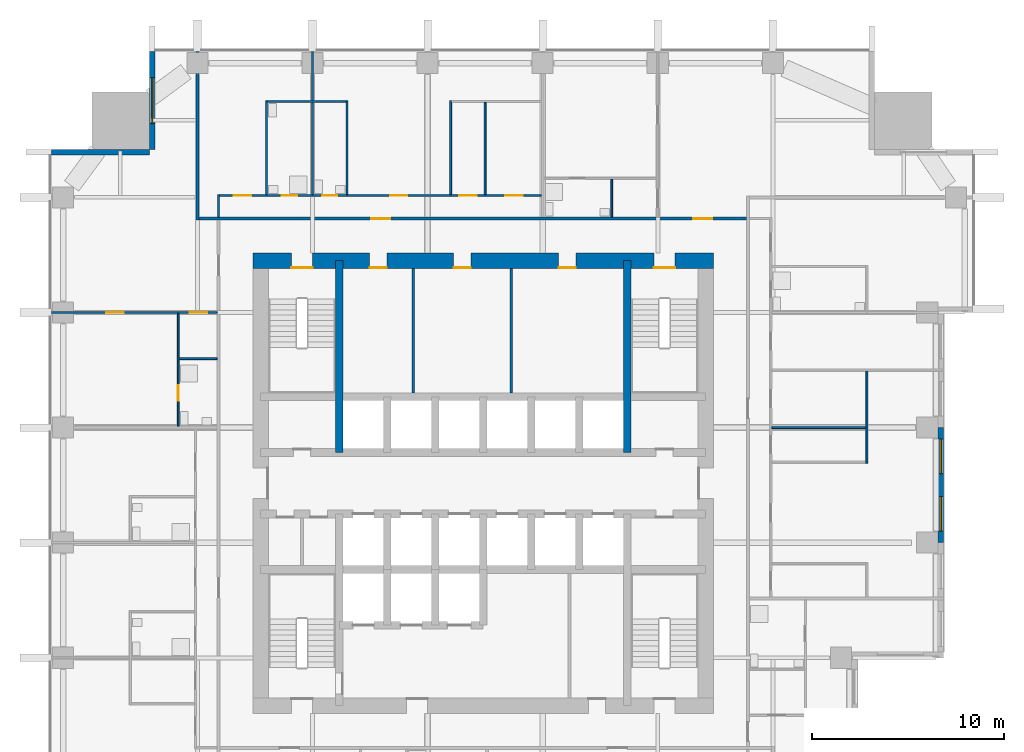
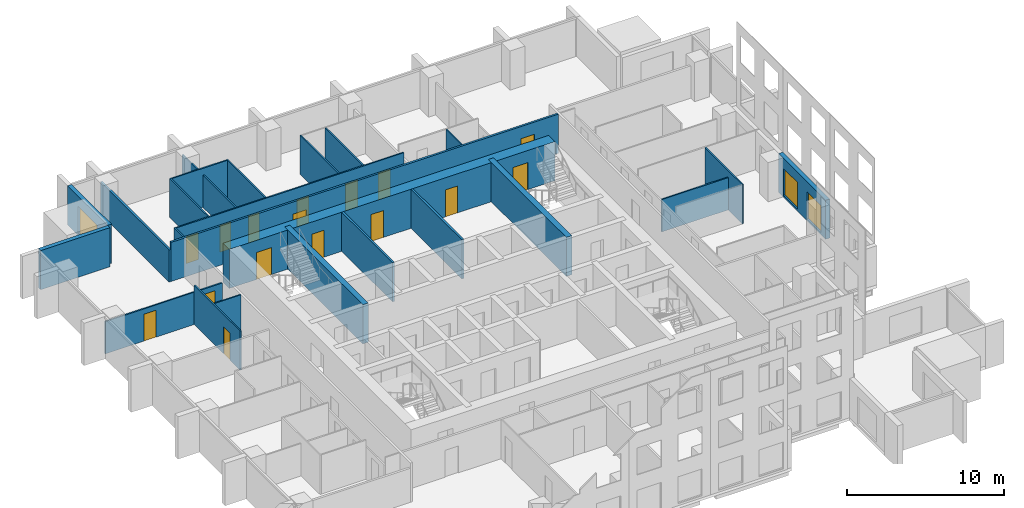
# One storey, part 7 of 13: 24 walls, 16 doors, 3 windows, 19 openings.
"""IFC4 building model written with IfcOpenShell, lengths in metres."""

from ifc_helpers import new_model, si_unit, direction, frame, frame_2d, origin, place, context, subcontext, project, spatial, rectangle, extrude, material, layer, layer_set, type_object, element, fill, save


model = new_model("IFC4")

# Units and contexts
model_context = context("Model", 3, precision=1e-05, world=origin(), true_north=direction((0.0, 1.0)))
body_context = subcontext(model_context, "Body", "Model", "MODEL_VIEW")
ifc_project = project(units=[si_unit("LENGTHUNIT", "METRE"), si_unit("AREAUNIT", "SQUARE_METRE"), si_unit("VOLUMEUNIT", "CUBIC_METRE"), si_unit("PLANEANGLEUNIT", "RADIAN"), si_unit("MASSUNIT", "GRAM", prefix="KILO")], contexts=[model_context])

# Site, building, storey
site_placement = place(None, origin())
site = spatial("IfcSite", under=ifc_project, at=site_placement, CompositionType="ELEMENT")
building_placement = place(site_placement, origin())
building = spatial("IfcBuilding", under=site, at=building_placement, Name="Amberfall Residences", CompositionType="ELEMENT")
storey_placement = place(building_placement, frame((0.0, 0.0, 78.699951171875)))
storey = spatial("IfcBuildingStorey", under=building, at=storey_placement, Name="L20", CompositionType="ELEMENT", Elevation=78.699951171875)

# Wall, opening, window
ifc_material_1 = material(Name="Pale stone cladding on insulated backing", Category="masonry")
ifc_layer_1 = layer(ifc_material_1, 0.300048828125)
ifc_layer_set_1 = layer_set([ifc_layer_1], Name="Bronze clad wall 300")
wall_type_1 = type_object("IfcWallType", Name="Bronze clad wall 300", PredefinedType="SOLIDWALL", material=ifc_layer_set_1)
wall_1_placement = place(storey_placement, frame((57.25, 68.0, 0.0), z_axis=(0.0, 0.0, 1.0), x_axis=(0.0, -1.0, 0.0)))
wall_1 = element("IfcWall", 1, at=wall_1_placement, inside=storey, type_object=wall_type_1, Name="External wall L20 NW", PredefinedType="SOLIDWALL", context=body_context, shape_type="SweptSolid", body=[
    extrude(rectangle(XDim=5.10009765625, YDim=0.300048828125, at=frame_2d((2.550048828125, 0.0))), origin(), (0.0, 0.0, 1.0), 3.050048828125),
])
opening_1_placement = place(wall_1_placement, frame((1.35009765625, 0.0, 0.14990234375)))
opening_1 = element("IfcOpeningElement", 2, at=opening_1_placement, cuts=wall_1, Name="Opening WN5", PredefinedType="OPENING", context=body_context, shape_type="SweptSolid", body=[
    extrude(rectangle(XDim=2.39990234375, YDim=2.10009765625, at=frame_2d((1.199951171875, 1.050048828125))), frame((0.0, 0.159912109375, 0.0), z_axis=(0.0, -1.0, 0.0), x_axis=(1.0, 0.0, 0.0)), (0.0, 0.0, 1.0), 0.320068359375),
])
ifc_material_2 = material(Name="Bronze aluminium framed glazing", Category="aluminium")
window_type_1 = type_object("IfcWindowType", Name="Glazed opening 2400 x 2100 bronze", PartitioningType="DOUBLE_PANEL_VERTICAL", PredefinedType="WINDOW", material=ifc_material_2)
window_1_placement = place(opening_1_placement, origin())
window_1 = element("IfcWindow", 3, at=window_1_placement, inside=storey, type_object=window_type_1, Name="Window L20 NW", OverallHeight=2.10009765625, OverallWidth=2.39990234375, PartitioningType="DOUBLE_PANEL_VERTICAL", PredefinedType="WINDOW", context=body_context, shape_type="SweptSolid", body=[
    extrude(rectangle(XDim=2.39990234375, YDim=2.10009765625, at=frame_2d((1.199951171875, 1.050048828125))), frame((0.0, 0.030029296875, 0.0), z_axis=(0.0, -1.0, 0.0), x_axis=(1.0, 0.0, 0.0)), (0.0, 0.0, 1.0), 0.06005859375),
])
fill(opening_1, window_1)

# Wall
wall_2_placement = place(storey_placement, frame((57.10009765625, 62.75, 0.0), z_axis=(0.0, 0.0, 1.0), x_axis=(-1.0, 0.0, 0.0)))
element("IfcWall", 4, at=wall_2_placement, inside=storey, type_object=wall_type_1, Name="External wall L20 NW", PredefinedType="SOLIDWALL", context=body_context, shape_type="SweptSolid", body=[
    extrude(rectangle(XDim=5.10009765625, YDim=0.300048828125, at=frame_2d((2.550048828125, 0.0))), origin(), (0.0, 0.0, 1.0), 3.050048828125),
])

# Wall, openings, windows
wall_3_placement = place(storey_placement, frame((98.35009765625, 42.39990234375, 0.0), z_axis=(0.0, 0.0, 1.0), x_axis=(0.0, 1.0, 0.0)))
wall_3 = element("IfcWall", 5, at=wall_3_placement, inside=storey, type_object=wall_type_1, Name="Stone wall L20 E", PredefinedType="SOLIDWALL", context=body_context, shape_type="SweptSolid", body=[
    extrude(rectangle(XDim=6.0, YDim=0.300048828125, at=frame_2d((3.0, 0.0))), origin(), (0.0, 0.0, 1.0), 3.050048828125),
])
opening_2_placement = place(wall_3_placement, frame((0.60009765625, 0.0, 0.14990234375)))
opening_2 = element("IfcOpeningElement", 6, at=opening_2_placement, cuts=wall_3, Name="Opening WN6", PredefinedType="OPENING", context=body_context, shape_type="SweptSolid", body=[
    extrude(rectangle(XDim=1.800048828125, YDim=2.10009765625, at=frame_2d((0.89990234375, 1.050048828125))), frame((0.0, 0.159912109375, 0.0), z_axis=(0.0, -1.0, 0.0), x_axis=(1.0, 0.0, 0.0)), (0.0, 0.0, 1.0), 0.320068359375),
])
opening_3_placement = place(wall_3_placement, frame((3.60009765625, 0.0, 0.14990234375)))
opening_3 = element("IfcOpeningElement", 7, at=opening_3_placement, cuts=wall_3, Name="Opening WN6", PredefinedType="OPENING", context=body_context, shape_type="SweptSolid", body=[
    extrude(rectangle(XDim=1.800048828125, YDim=2.10009765625, at=frame_2d((0.89990234375, 1.050048828125))), frame((0.0, 0.159912109375, 0.0), z_axis=(0.0, -1.0, 0.0), x_axis=(1.0, 0.0, 0.0)), (0.0, 0.0, 1.0), 0.320068359375),
])
window_type_2 = type_object("IfcWindowType", Name="Glazed opening 1800 x 2100 bronze", PartitioningType="DOUBLE_PANEL_VERTICAL", PredefinedType="WINDOW", material=ifc_material_2)
window_2_placement = place(opening_2_placement, origin())
window_2 = element("IfcWindow", 8, at=window_2_placement, inside=storey, type_object=window_type_2, Name="Window L20 E", OverallHeight=2.10009765625, OverallWidth=1.800048828125, PartitioningType="DOUBLE_PANEL_VERTICAL", PredefinedType="WINDOW", context=body_context, shape_type="SweptSolid", body=[
    extrude(rectangle(XDim=1.800048828125, YDim=2.10009765625, at=frame_2d((0.89990234375, 1.050048828125))), frame((0.0, 0.030029296875, 0.0), z_axis=(0.0, -1.0, 0.0), x_axis=(1.0, 0.0, 0.0)), (0.0, 0.0, 1.0), 0.06005859375),
])
fill(opening_2, window_2)
window_3_placement = place(opening_3_placement, origin())
window_3 = element("IfcWindow", 9, at=window_3_placement, inside=storey, type_object=window_type_2, Name="Window L20 E", OverallHeight=2.10009765625, OverallWidth=1.800048828125, PartitioningType="DOUBLE_PANEL_VERTICAL", PredefinedType="WINDOW", context=body_context, shape_type="SweptSolid", body=[
    extrude(rectangle(XDim=1.800048828125, YDim=2.10009765625, at=frame_2d((0.89990234375, 1.050048828125))), frame((0.0, 0.030029296875, 0.0), z_axis=(0.0, -1.0, 0.0), x_axis=(1.0, 0.0, 0.0)), (0.0, 0.0, 1.0), 0.06005859375),
])
fill(opening_3, window_3)

# Walls
ifc_material_3 = material(Name="Concrete C70", Category="concrete")
ifc_layer_2 = layer(ifc_material_3, 0.39990234375)
ifc_layer_set_2 = layer_set([ifc_layer_2], Name="Core wall 400 C70")
wall_type_2 = type_object("IfcWallType", Name="Core wall 400 C70", PredefinedType="SHEAR", material=ifc_layer_set_2)
for number, where, z_axis, x_axis, name in (
    (10, (67.0, 47.10009765625, 0.0), (0.0, 0.0, 1.0), (0.0, 1.0, 0.0), "Core wall RW4 L20 V45N"),
    (11, (82.0, 47.10009765625, 0.0), (0.0, 0.0, 1.0), (0.0, 1.0, 0.0), "Core wall RW4 L20 V195N"),
):
    element("IfcWall", number, at=place(storey_placement, frame(where, z_axis=z_axis, x_axis=x_axis)), inside=storey, type_object=wall_type_2, Name=name, PredefinedType="SHEAR", context=body_context, shape_type="SweptSolid", body=[
        extrude(rectangle(XDim=10.0, YDim=0.39990234375, at=frame_2d((5.0, 0.0))), origin(), (0.0, 0.0, 1.0), 3.050048828125),
    ])

# Wall, openings, doors
ifc_layer_3 = layer(ifc_material_3, 0.800048828125)
ifc_layer_set_3 = layer_set([ifc_layer_3], Name="Core wall 800 C70")
wall_type_3 = type_object("IfcWallType", Name="Core wall 800 C70", PredefinedType="SHEAR", material=ifc_layer_set_3)
wall_4_placement = place(storey_placement, frame((62.5, 57.10009765625, 0.0), z_axis=(0.0, 0.0, 1.0), x_axis=(1.0, 0.0, 0.0)))
wall_4 = element("IfcWall", 12, at=wall_4_placement, inside=storey, type_object=wall_type_3, Name="Core wall RW3 L20 ON", PredefinedType="SHEAR", context=body_context, shape_type="SweptSolid", body=[
    extrude(rectangle(XDim=24.0, YDim=0.800048828125, at=frame_2d((12.0, 0.0))), origin(), (0.0, 0.0, 1.0), 3.050048828125),
])
opening_4_placement = place(wall_4_placement, frame((20.89990234375, 0.0, 0.0)))
opening_4 = element("IfcOpeningElement", 13, at=opening_4_placement, cuts=wall_4, Name="Opening SD1", PredefinedType="OPENING", context=body_context, shape_type="SweptSolid", body=[
    extrude(rectangle(XDim=1.10009765625, YDim=2.10009765625, at=frame_2d((0.550048828125, 1.050048828125))), frame((0.0, 0.409912109375, 0.0), z_axis=(0.0, -1.0, 0.0), x_axis=(1.0, 0.0, 0.0)), (0.0, 0.0, 1.0), 0.820068359375),
])
opening_5_placement = place(wall_4_placement, frame((2.0, 0.0, 0.0)))
opening_5 = element("IfcOpeningElement", 14, at=opening_5_placement, cuts=wall_4, Name="Opening SD1", PredefinedType="OPENING", context=body_context, shape_type="SweptSolid", body=[
    extrude(rectangle(XDim=1.10009765625, YDim=2.10009765625, at=frame_2d((0.550048828125, 1.050048828125))), frame((0.0, 0.409912109375, 0.0), z_axis=(0.0, -1.0, 0.0), x_axis=(1.0, 0.0, 0.0)), (0.0, 0.0, 1.0), 0.820068359375),
])
opening_6_placement = place(wall_4_placement, frame((6.074951171875, 0.0, 0.0)))
opening_6 = element("IfcOpeningElement", 15, at=opening_6_placement, cuts=wall_4, Name="Opening RD1", PredefinedType="OPENING", context=body_context, shape_type="SweptSolid", body=[
    extrude(rectangle(XDim=0.89990234375, YDim=2.10009765625, at=frame_2d((0.449951171875, 1.050048828125))), frame((0.0, 0.409912109375, 0.0), z_axis=(0.0, -1.0, 0.0), x_axis=(1.0, 0.0, 0.0)), (0.0, 0.0, 1.0), 0.820068359375),
])
opening_7_placement = place(wall_4_placement, frame((10.455078125, 0.0, 0.0)))
opening_7 = element("IfcOpeningElement", 16, at=opening_7_placement, cuts=wall_4, Name="Opening RD1", PredefinedType="OPENING", context=body_context, shape_type="SweptSolid", body=[
    extrude(rectangle(XDim=0.89990234375, YDim=2.10009765625, at=frame_2d((0.449951171875, 1.050048828125))), frame((0.0, 0.409912109375, 0.0), z_axis=(0.0, -1.0, 0.0), x_axis=(1.0, 0.0, 0.0)), (0.0, 0.0, 1.0), 0.820068359375),
])
opening_8_placement = place(wall_4_placement, frame((15.929931640625, 0.0, 0.0)))
opening_8 = element("IfcOpeningElement", 17, at=opening_8_placement, cuts=wall_4, Name="Opening RD1", PredefinedType="OPENING", context=body_context, shape_type="SweptSolid", body=[
    extrude(rectangle(XDim=0.89990234375, YDim=2.10009765625, at=frame_2d((0.449951171875, 1.050048828125))), frame((0.0, 0.409912109375, 0.0), z_axis=(0.0, -1.0, 0.0), x_axis=(1.0, 0.0, 0.0)), (0.0, 0.0, 1.0), 0.820068359375),
])
ifc_material_4 = material(Name="Steel fire door set", Category="steel")
door_type_1 = type_object("IfcDoorType", Name="Service room door 900 x 2100", OperationType="SINGLE_SWING_LEFT", PredefinedType="DOOR", material=ifc_material_4)
door_1_placement = place(opening_6_placement, origin())
door_1 = element("IfcDoor", 18, at=door_1_placement, inside=storey, type_object=door_type_1, Name="RD1 L20", OperationType="SINGLE_SWING_RIGHT", OverallHeight=2.10009765625, OverallWidth=0.89990234375, PredefinedType="DOOR", context=body_context, shape_type="SweptSolid", body=[
    extrude(rectangle(XDim=0.89990234375, YDim=2.10009765625, at=frame_2d((0.449951171875, 1.050048828125))), frame((0.0, -0.33740234375, 0.0), z_axis=(0.0, -1.0, 0.0), x_axis=(1.0, 0.0, 0.0)), (0.0, 0.0, 1.0), 0.050048828125),
])
fill(opening_6, door_1)
door_2_placement = place(opening_7_placement, origin())
door_2 = element("IfcDoor", 19, at=door_2_placement, inside=storey, type_object=door_type_1, Name="RD1 L20", OperationType="SINGLE_SWING_RIGHT", OverallHeight=2.10009765625, OverallWidth=0.89990234375, PredefinedType="DOOR", context=body_context, shape_type="SweptSolid", body=[
    extrude(rectangle(XDim=0.89990234375, YDim=2.10009765625, at=frame_2d((0.449951171875, 1.050048828125))), frame((0.0, -0.33740234375, 0.0), z_axis=(0.0, -1.0, 0.0), x_axis=(1.0, 0.0, 0.0)), (0.0, 0.0, 1.0), 0.050048828125),
])
fill(opening_7, door_2)
door_3_placement = place(opening_8_placement, origin())
door_3 = element("IfcDoor", 20, at=door_3_placement, inside=storey, type_object=door_type_1, Name="RD1 L20", OperationType="SINGLE_SWING_RIGHT", OverallHeight=2.10009765625, OverallWidth=0.89990234375, PredefinedType="DOOR", context=body_context, shape_type="SweptSolid", body=[
    extrude(rectangle(XDim=0.89990234375, YDim=2.10009765625, at=frame_2d((0.449951171875, 1.050048828125))), frame((0.0, -0.33740234375, 0.0), z_axis=(0.0, -1.0, 0.0), x_axis=(1.0, 0.0, 0.0)), (0.0, 0.0, 1.0), 0.050048828125),
])
fill(opening_8, door_3)
door_type_2 = type_object("IfcDoorType", Name="Stair door 1100 x 2100", OperationType="SINGLE_SWING_LEFT", PredefinedType="DOOR", material=ifc_material_4)
door_4_placement = place(opening_4_placement, origin())
door_4 = element("IfcDoor", 21, at=door_4_placement, inside=storey, type_object=door_type_2, Name="SD1 L20", OperationType="SINGLE_SWING_RIGHT", OverallHeight=2.10009765625, OverallWidth=1.10009765625, PredefinedType="DOOR", context=body_context, shape_type="SweptSolid", body=[
    extrude(rectangle(XDim=1.10009765625, YDim=2.10009765625, at=frame_2d((0.550048828125, 1.050048828125))), frame((0.0, -0.33740234375, 0.0), z_axis=(0.0, -1.0, 0.0), x_axis=(1.0, 0.0, 0.0)), (0.0, 0.0, 1.0), 0.050048828125),
])
fill(opening_4, door_4)
door_5_placement = place(opening_5_placement, origin())
door_5 = element("IfcDoor", 22, at=door_5_placement, inside=storey, type_object=door_type_2, Name="SD1 L20", OperationType="SINGLE_SWING_LEFT", OverallHeight=2.10009765625, OverallWidth=1.10009765625, PredefinedType="DOOR", context=body_context, shape_type="SweptSolid", body=[
    extrude(rectangle(XDim=1.10009765625, YDim=2.10009765625, at=frame_2d((0.550048828125, 1.050048828125))), frame((0.0, -0.33740234375, 0.0), z_axis=(0.0, -1.0, 0.0), x_axis=(1.0, 0.0, 0.0)), (0.0, 0.0, 1.0), 0.050048828125),
])
fill(opening_5, door_5)

# Wall, opening, door
ifc_material_5 = material(Name="Gypsum board on metal stud")
ifc_layer_4 = layer(ifc_material_5, 0.10009765625)
ifc_layer_set_4 = layer_set([ifc_layer_4], Name="Flat partition 100")
wall_type_4 = type_object("IfcWallType", Name="Flat partition 100", PredefinedType="PARTITIONING", material=ifc_layer_set_4)
wall_5_placement = place(storey_placement, frame((58.60009765625, 54.35009765625, 0.0), z_axis=(0.0, 0.0, 1.0), x_axis=(0.0, -1.0, 0.0)))
wall_5 = element("IfcWall", 23, at=wall_5_placement, inside=storey, type_object=wall_type_4, Name="Partition 003", PredefinedType="PARTITIONING", context=body_context, shape_type="SweptSolid", body=[
    extrude(rectangle(XDim=5.875, YDim=0.10009765625, at=frame_2d((2.9375, 0.0))), origin(), (0.0, 0.0, 1.0), 3.050048828125),
])
opening_9_placement = place(wall_5_placement, frame((3.75, 0.0, 0.0)))
opening_9 = element("IfcOpeningElement", 24, at=opening_9_placement, cuts=wall_5, Name="Opening D42", PredefinedType="OPENING", context=body_context, shape_type="SweptSolid", body=[
    extrude(rectangle(XDim=0.800048828125, YDim=2.10009765625, at=frame_2d((0.39990234375, 1.050048828125))), frame((0.0, 0.06005859375, 0.0), z_axis=(0.0, -1.0, 0.0), x_axis=(1.0, 0.0, 0.0)), (0.0, 0.0, 1.0), 0.1201171875),
])
ifc_material_6 = material(Name="Timber", Category="wood")
door_type_3 = type_object("IfcDoorType", Name="Bathroom door 800 x 2100", OperationType="SINGLE_SWING_LEFT", PredefinedType="DOOR", material=ifc_material_6)
door_6_placement = place(opening_9_placement, origin())
door_6 = element("IfcDoor", 25, at=door_6_placement, inside=storey, type_object=door_type_3, Name="Door 2008 bath1", OperationType="SINGLE_SWING_LEFT", OverallHeight=2.10009765625, OverallWidth=0.800048828125, PredefinedType="DOOR", context=body_context, shape_type="SweptSolid", body=[
    extrude(rectangle(XDim=0.800048828125, YDim=2.10009765625, at=frame_2d((0.39990234375, 1.050048828125))), frame((0.0, 0.02490234375, 0.0), z_axis=(0.0, -1.0, 0.0), x_axis=(1.0, 0.0, 0.0)), (0.0, 0.0, 1.0), 0.050048828125),
])
fill(opening_9, door_6)

# Walls
wall_6_placement = place(storey_placement, frame((60.699951171875, 59.375, 0.0), z_axis=(0.0, 0.0, 1.0), x_axis=(0.0, 1.0, 0.0)))
element("IfcWall", 26, at=wall_6_placement, inside=storey, type_object=wall_type_4, Name="Partition 005", PredefinedType="PARTITIONING", context=body_context, shape_type="SweptSolid", body=[
    extrude(rectangle(XDim=1.175048828125, YDim=0.10009765625, at=frame_2d((0.58740234375, 0.0))), origin(), (0.0, 0.0, 1.0), 3.050048828125),
])
wall_7_placement = place(storey_placement, frame((63.199951171875, 60.550048828125, 0.0), z_axis=(0.0, 0.0, 1.0), x_axis=(0.0, 1.0, 0.0)))
element("IfcWall", 27, at=wall_7_placement, inside=storey, type_object=wall_type_4, Name="Partition 006", PredefinedType="PARTITIONING", context=body_context, shape_type="SweptSolid", body=[
    extrude(rectangle(XDim=4.89990234375, YDim=0.10009765625, at=frame_2d((2.449951171875, 0.0))), origin(), (0.0, 0.0, 1.0), 3.050048828125),
])
wall_8_placement = place(storey_placement, frame((65.60009765625, 60.550048828125, 0.0), z_axis=(0.0, 0.0, 1.0), x_axis=(0.0, 1.0, 0.0)))
element("IfcWall", 28, at=wall_8_placement, inside=storey, type_object=wall_type_4, Name="Partition 007", PredefinedType="PARTITIONING", context=body_context, shape_type="SweptSolid", body=[
    extrude(rectangle(XDim=7.449951171875, YDim=0.10009765625, at=frame_2d((3.72509765625, 0.0))), origin(), (0.0, 0.0, 1.0), 2.51611328125),
])
for number, where, z_axis, x_axis, name in (
    (29, (67.39990234375, 60.550048828125, 0.0), (0.0, 0.0, 1.0), (0.0, 1.0, 0.0), "Partition 008"),
    (30, (72.800048828125, 60.550048828125, 0.0), (0.0, 0.0, 1.0), (0.0, 1.0, 0.0), "Partition 011"),
):
    element("IfcWall", number, at=place(storey_placement, frame(where, z_axis=z_axis, x_axis=x_axis)), inside=storey, type_object=wall_type_4, Name=name, PredefinedType="PARTITIONING", context=body_context, shape_type="SweptSolid", body=[
        extrude(rectangle(XDim=4.89990234375, YDim=0.10009765625, at=frame_2d((2.449951171875, 0.0))), origin(), (0.0, 0.0, 1.0), 3.050048828125),
    ])
wall_9_placement = place(storey_placement, frame((74.60009765625, 60.550048828125, 0.0), z_axis=(0.0, 0.0, 1.0), x_axis=(0.0, 1.0, 0.0)))
element("IfcWall", 31, at=wall_9_placement, inside=storey, type_object=wall_type_4, Name="Partition 012", PredefinedType="PARTITIONING", context=body_context, shape_type="SweptSolid", body=[
    extrude(rectangle(XDim=4.800048828125, YDim=0.10009765625, at=frame_2d((2.39990234375, 0.0))), origin(), (0.0, 0.0, 1.0), 3.050048828125),
])
wall_10_placement = place(storey_placement, frame((81.199951171875, 59.375, 0.0), z_axis=(0.0, 0.0, 1.0), x_axis=(0.0, 1.0, 0.0)))
element("IfcWall", 32, at=wall_10_placement, inside=storey, type_object=wall_type_4, Name="Partition 015", PredefinedType="PARTITIONING", context=body_context, shape_type="SweptSolid", body=[
    extrude(rectangle(XDim=1.97509765625, YDim=0.10009765625, at=frame_2d((0.987548828125, 0.0))), origin(), (0.0, 0.0, 1.0), 3.050048828125),
])
wall_11_placement = place(storey_placement, frame((94.5, 46.550048828125, 0.0), z_axis=(0.0, 0.0, 1.0), x_axis=(0.0, 1.0, 0.0)))
element("IfcWall", 33, at=wall_11_placement, inside=storey, type_object=wall_type_4, Name="Partition 024", PredefinedType="PARTITIONING", context=body_context, shape_type="SweptSolid", body=[
    extrude(rectangle(XDim=4.800048828125, YDim=0.10009765625, at=frame_2d((2.39990234375, 0.0))), origin(), (0.0, 0.0, 1.0), 3.050048828125),
])
wall_12_placement = place(storey_placement, frame((63.25, 65.39990234375, 0.0), z_axis=(0.0, 0.0, 1.0), x_axis=(1.0, 0.0, 0.0)))
element("IfcWall", 34, at=wall_12_placement, inside=storey, type_object=wall_type_4, Name="Partition 026", PredefinedType="PARTITIONING", context=body_context, shape_type="SweptSolid", body=[
    extrude(rectangle(XDim=4.10009765625, YDim=0.10009765625, at=frame_2d((2.050048828125, 0.0))), origin(), (0.0, 0.0, 1.0), 3.050048828125),
])

# Wall, openings, doors
wall_13_placement = place(storey_placement, frame((60.75, 60.5, 0.0), z_axis=(0.0, 0.0, 1.0), x_axis=(1.0, 0.0, 0.0)))
wall_13 = element("IfcWall", 35, at=wall_13_placement, inside=storey, type_object=wall_type_4, Name="Partition 029", PredefinedType="PARTITIONING", context=body_context, shape_type="SweptSolid", body=[
    extrude(rectangle(XDim=16.77490234375, YDim=0.10009765625, at=frame_2d((8.387451171875, 0.0))), origin(), (0.0, 0.0, 1.0), 3.050048828125),
])
opening_10_placement = place(wall_13_placement, frame((8.89990234375, 0.0, 0.0)))
opening_10 = element("IfcOpeningElement", 36, at=opening_10_placement, cuts=wall_13, Name="Opening D41", PredefinedType="OPENING", context=body_context, shape_type="SweptSolid", body=[
    extrude(rectangle(XDim=0.89990234375, YDim=2.10009765625, at=frame_2d((0.449951171875, 1.050048828125))), frame((0.0, 0.06005859375, 0.0), z_axis=(0.0, -1.0, 0.0), x_axis=(1.0, 0.0, 0.0)), (0.0, 0.0, 1.0), 0.1201171875),
])
opening_11_placement = place(wall_13_placement, frame((14.89990234375, 0.0, 0.0)))
opening_11 = element("IfcOpeningElement", 37, at=opening_11_placement, cuts=wall_13, Name="Opening D41", PredefinedType="OPENING", context=body_context, shape_type="SweptSolid", body=[
    extrude(rectangle(XDim=0.89990234375, YDim=2.10009765625, at=frame_2d((0.449951171875, 1.050048828125))), frame((0.0, 0.06005859375, 0.0), z_axis=(0.0, -1.0, 0.0), x_axis=(1.0, 0.0, 0.0)), (0.0, 0.0, 1.0), 0.1201171875),
])
opening_12_placement = place(wall_13_placement, frame((12.5, 0.0, 0.0)))
opening_12 = element("IfcOpeningElement", 38, at=opening_12_placement, cuts=wall_13, Name="Opening D41", PredefinedType="OPENING", context=body_context, shape_type="SweptSolid", body=[
    extrude(rectangle(XDim=0.89990234375, YDim=2.10009765625, at=frame_2d((0.449951171875, 1.050048828125))), frame((0.0, 0.06005859375, 0.0), z_axis=(0.0, -1.0, 0.0), x_axis=(1.0, 0.0, 0.0)), (0.0, 0.0, 1.0), 0.1201171875),
])
opening_13_placement = place(wall_13_placement, frame((5.35009765625, 0.0, 0.0)))
opening_13 = element("IfcOpeningElement", 39, at=opening_13_placement, cuts=wall_13, Name="Opening D42", PredefinedType="OPENING", context=body_context, shape_type="SweptSolid", body=[
    extrude(rectangle(XDim=0.800048828125, YDim=2.10009765625, at=frame_2d((0.39990234375, 1.050048828125))), frame((0.0, 0.06005859375, 0.0), z_axis=(0.0, -1.0, 0.0), x_axis=(1.0, 0.0, 0.0)), (0.0, 0.0, 1.0), 0.1201171875),
])
opening_14_placement = place(wall_13_placement, frame((0.75, 0.0, 0.0)))
opening_14 = element("IfcOpeningElement", 40, at=opening_14_placement, cuts=wall_13, Name="Opening D41", PredefinedType="OPENING", context=body_context, shape_type="SweptSolid", body=[
    extrude(rectangle(XDim=0.89990234375, YDim=2.10009765625, at=frame_2d((0.449951171875, 1.050048828125))), frame((0.0, 0.06005859375, 0.0), z_axis=(0.0, -1.0, 0.0), x_axis=(1.0, 0.0, 0.0)), (0.0, 0.0, 1.0), 0.1201171875),
])
opening_15_placement = place(wall_13_placement, frame((3.25, 0.0, 0.0)))
opening_15 = element("IfcOpeningElement", 41, at=opening_15_placement, cuts=wall_13, Name="Opening D42", PredefinedType="OPENING", context=body_context, shape_type="SweptSolid", body=[
    extrude(rectangle(XDim=0.800048828125, YDim=2.10009765625, at=frame_2d((0.39990234375, 1.050048828125))), frame((0.0, 0.06005859375, 0.0), z_axis=(0.0, -1.0, 0.0), x_axis=(1.0, 0.0, 0.0)), (0.0, 0.0, 1.0), 0.1201171875),
])
door_7_placement = place(opening_13_placement, origin())
door_7 = element("IfcDoor", 42, at=door_7_placement, inside=storey, type_object=door_type_3, Name="Door 2005 wc1", OperationType="SINGLE_SWING_LEFT", OverallHeight=2.10009765625, OverallWidth=0.800048828125, PredefinedType="DOOR", context=body_context, shape_type="SweptSolid", body=[
    extrude(rectangle(XDim=0.800048828125, YDim=2.10009765625, at=frame_2d((0.39990234375, 1.050048828125))), frame((0.0, 0.02490234375, 0.0), z_axis=(0.0, -1.0, 0.0), x_axis=(1.0, 0.0, 0.0)), (0.0, 0.0, 1.0), 0.050048828125),
])
fill(opening_13, door_7)
door_8_placement = place(opening_15_placement, origin())
door_8 = element("IfcDoor", 43, at=door_8_placement, inside=storey, type_object=door_type_3, Name="Door 2005 bath1", OperationType="SINGLE_SWING_LEFT", OverallHeight=2.10009765625, OverallWidth=0.800048828125, PredefinedType="DOOR", context=body_context, shape_type="SweptSolid", body=[
    extrude(rectangle(XDim=0.800048828125, YDim=2.10009765625, at=frame_2d((0.39990234375, 1.050048828125))), frame((0.0, 0.02490234375, 0.0), z_axis=(0.0, -1.0, 0.0), x_axis=(1.0, 0.0, 0.0)), (0.0, 0.0, 1.0), 0.050048828125),
])
fill(opening_15, door_8)
door_type_4 = type_object("IfcDoorType", Name="Internal door 900 x 2100", OperationType="SINGLE_SWING_LEFT", PredefinedType="DOOR", material=ifc_material_6)
door_9_placement = place(opening_10_placement, origin())
door_9 = element("IfcDoor", 44, at=door_9_placement, inside=storey, type_object=door_type_4, Name="Door 2005 living", OperationType="SINGLE_SWING_LEFT", OverallHeight=2.10009765625, OverallWidth=0.89990234375, PredefinedType="DOOR", context=body_context, shape_type="SweptSolid", body=[
    extrude(rectangle(XDim=0.89990234375, YDim=2.10009765625, at=frame_2d((0.449951171875, 1.050048828125))), frame((0.0, 0.02490234375, 0.0), z_axis=(0.0, -1.0, 0.0), x_axis=(1.0, 0.0, 0.0)), (0.0, 0.0, 1.0), 0.050048828125),
])
fill(opening_10, door_9)
door_10_placement = place(opening_11_placement, origin())
door_10 = element("IfcDoor", 45, at=door_10_placement, inside=storey, type_object=door_type_4, Name="Door 2005 kitchen", OperationType="SINGLE_SWING_LEFT", OverallHeight=2.10009765625, OverallWidth=0.89990234375, PredefinedType="DOOR", context=body_context, shape_type="SweptSolid", body=[
    extrude(rectangle(XDim=0.89990234375, YDim=2.10009765625, at=frame_2d((0.449951171875, 1.050048828125))), frame((0.0, 0.02490234375, 0.0), z_axis=(0.0, -1.0, 0.0), x_axis=(1.0, 0.0, 0.0)), (0.0, 0.0, 1.0), 0.050048828125),
])
fill(opening_11, door_10)
door_11_placement = place(opening_12_placement, origin())
door_11 = element("IfcDoor", 46, at=door_11_placement, inside=storey, type_object=door_type_4, Name="Door 2005 utility", OperationType="SINGLE_SWING_LEFT", OverallHeight=2.10009765625, OverallWidth=0.89990234375, PredefinedType="DOOR", context=body_context, shape_type="SweptSolid", body=[
    extrude(rectangle(XDim=0.89990234375, YDim=2.10009765625, at=frame_2d((0.449951171875, 1.050048828125))), frame((0.0, 0.02490234375, 0.0), z_axis=(0.0, -1.0, 0.0), x_axis=(1.0, 0.0, 0.0)), (0.0, 0.0, 1.0), 0.050048828125),
])
fill(opening_12, door_11)
door_12_placement = place(opening_14_placement, origin())
door_12 = element("IfcDoor", 47, at=door_12_placement, inside=storey, type_object=door_type_4, Name="Door 2005 bedroom1", OperationType="SINGLE_SWING_LEFT", OverallHeight=2.10009765625, OverallWidth=0.89990234375, PredefinedType="DOOR", context=body_context, shape_type="SweptSolid", body=[
    extrude(rectangle(XDim=0.89990234375, YDim=2.10009765625, at=frame_2d((0.449951171875, 1.050048828125))), frame((0.0, 0.02490234375, 0.0), z_axis=(0.0, -1.0, 0.0), x_axis=(1.0, 0.0, 0.0)), (0.0, 0.0, 1.0), 0.050048828125),
])
fill(opening_14, door_12)

wall_14_placement = place(storey_placement, frame((60.625, 54.39990234375, 0.0), z_axis=(0.0, 0.0, 1.0), x_axis=(-1.0, 0.0, 0.0)))
wall_14 = element("IfcWall", 48, at=wall_14_placement, inside=storey, type_object=wall_type_4, Name="Partition 032", PredefinedType="PARTITIONING", context=body_context, shape_type="SweptSolid", body=[
    extrude(rectangle(XDim=8.625, YDim=0.10009765625, at=frame_2d((4.3125, 0.0))), origin(), (0.0, 0.0, 1.0), 2.51611328125),
])
opening_16_placement = place(wall_14_placement, frame((0.52490234375, 0.0, 0.0)))
opening_16 = element("IfcOpeningElement", 49, at=opening_16_placement, cuts=wall_14, Name="Opening D41", PredefinedType="OPENING", context=body_context, shape_type="SweptSolid", body=[
    extrude(rectangle(XDim=0.89990234375, YDim=2.10009765625, at=frame_2d((0.449951171875, 1.050048828125))), frame((0.0, 0.06005859375, 0.0), z_axis=(0.0, -1.0, 0.0), x_axis=(1.0, 0.0, 0.0)), (0.0, 0.0, 1.0), 0.1201171875),
])
opening_17_placement = place(wall_14_placement, frame((4.875, 0.0, 0.0)))
opening_17 = element("IfcOpeningElement", 50, at=opening_17_placement, cuts=wall_14, Name="Opening D41", PredefinedType="OPENING", context=body_context, shape_type="SweptSolid", body=[
    extrude(rectangle(XDim=0.89990234375, YDim=2.10009765625, at=frame_2d((0.449951171875, 1.050048828125))), frame((0.0, 0.06005859375, 0.0), z_axis=(0.0, -1.0, 0.0), x_axis=(1.0, 0.0, 0.0)), (0.0, 0.0, 1.0), 0.1201171875),
])
door_13_placement = place(opening_16_placement, origin())
door_13 = element("IfcDoor", 51, at=door_13_placement, inside=storey, type_object=door_type_4, Name="Door 2008 kitchen", OperationType="SINGLE_SWING_LEFT", OverallHeight=2.10009765625, OverallWidth=0.89990234375, PredefinedType="DOOR", context=body_context, shape_type="SweptSolid", body=[
    extrude(rectangle(XDim=0.89990234375, YDim=2.10009765625, at=frame_2d((0.449951171875, 1.050048828125))), frame((0.0, 0.02490234375, 0.0), z_axis=(0.0, -1.0, 0.0), x_axis=(1.0, 0.0, 0.0)), (0.0, 0.0, 1.0), 0.050048828125),
])
fill(opening_16, door_13)
door_14_placement = place(opening_17_placement, origin())
door_14 = element("IfcDoor", 52, at=door_14_placement, inside=storey, type_object=door_type_4, Name="Door 2008 bedroom1", OperationType="SINGLE_SWING_LEFT", OverallHeight=2.10009765625, OverallWidth=0.89990234375, PredefinedType="DOOR", context=body_context, shape_type="SweptSolid", body=[
    extrude(rectangle(XDim=0.89990234375, YDim=2.10009765625, at=frame_2d((0.449951171875, 1.050048828125))), frame((0.0, 0.02490234375, 0.0), z_axis=(0.0, -1.0, 0.0), x_axis=(1.0, 0.0, 0.0)), (0.0, 0.0, 1.0), 0.050048828125),
])
fill(opening_17, door_14)

# Walls
wall_15_placement = place(storey_placement, frame((58.64990234375, 52.0, 0.0), z_axis=(0.0, 0.0, 1.0), x_axis=(1.0, 0.0, 0.0)))
element("IfcWall", 53, at=wall_15_placement, inside=storey, type_object=wall_type_4, Name="Partition 034", PredefinedType="PARTITIONING", context=body_context, shape_type="SweptSolid", body=[
    extrude(rectangle(XDim=1.97509765625, YDim=0.10009765625, at=frame_2d((0.987548828125, 0.0))), origin(), (0.0, 0.0, 1.0), 3.050048828125),
])
wall_16_placement = place(storey_placement, frame((89.550048828125, 48.39990234375, 0.0), z_axis=(0.0, 0.0, 1.0), x_axis=(1.0, 0.0, 0.0)))
element("IfcWall", 54, at=wall_16_placement, inside=storey, type_object=wall_type_4, Name="Partition 036", PredefinedType="PARTITIONING", context=body_context, shape_type="SweptSolid", body=[
    extrude(rectangle(XDim=4.89990234375, YDim=0.10009765625, at=frame_2d((2.449951171875, 0.0))), origin(), (0.0, 0.0, 1.0), 2.51611328125),
])
ifc_material_7 = material(Name="Blockwork, plastered", Category="masonry")
ifc_layer_5 = layer(ifc_material_7, 0.14990234375)
ifc_layer_set_5 = layer_set([ifc_layer_5], Name="Flat separating wall 150")
wall_type_5 = type_object("IfcWallType", Name="Flat separating wall 150", PredefinedType="PARTITIONING", material=ifc_layer_set_5)
wall_17_placement = place(storey_placement, frame((59.60009765625, 59.22509765625, 0.0), z_axis=(0.0, 0.0, 1.0), x_axis=(0.0, 1.0, 0.0)))
element("IfcWall", 55, at=wall_17_placement, inside=storey, type_object=wall_type_5, Name="Separating wall 051", PredefinedType="PARTITIONING", context=body_context, shape_type="SweptSolid", body=[
    extrude(rectangle(XDim=8.77490234375, YDim=0.14990234375, at=frame_2d((4.387451171875, 0.0))), origin(), (0.0, 0.0, 1.0), 2.510009765625),
])

# Wall, openings, doors
wall_18_placement = place(storey_placement, frame((59.675048828125, 59.300048828125, 0.0), z_axis=(0.0, 0.0, 1.0), x_axis=(1.0, 0.0, 0.0)))
wall_18 = element("IfcWall", 56, at=wall_18_placement, inside=storey, type_object=wall_type_5, Name="Separating wall 058", PredefinedType="PARTITIONING", context=body_context, shape_type="SweptSolid", body=[
    extrude(rectangle(XDim=28.550048828125, YDim=0.14990234375, at=frame_2d((14.27490234375, 0.0))), origin(), (0.0, 0.0, 1.0), 3.050048828125),
])
opening_18_placement = place(wall_18_placement, frame((8.97509765625, 0.0, 0.0)))
opening_18 = element("IfcOpeningElement", 57, at=opening_18_placement, cuts=wall_18, Name="Opening D40", PredefinedType="OPENING", context=body_context, shape_type="SweptSolid", body=[
    extrude(rectangle(XDim=1.0, YDim=2.10009765625, at=frame_2d((0.5, 1.050048828125))), frame((0.0, 0.0849609375, 0.0), z_axis=(0.0, -1.0, 0.0), x_axis=(1.0, 0.0, 0.0)), (0.0, 0.0, 1.0), 0.169921875),
])
opening_19_placement = place(wall_18_placement, frame((25.77490234375, 0.0, 0.0)))
opening_19 = element("IfcOpeningElement", 58, at=opening_19_placement, cuts=wall_18, Name="Opening D40", PredefinedType="OPENING", context=body_context, shape_type="SweptSolid", body=[
    extrude(rectangle(XDim=1.0, YDim=2.10009765625, at=frame_2d((0.5, 1.050048828125))), frame((0.0, 0.0849609375, 0.0), z_axis=(0.0, -1.0, 0.0), x_axis=(1.0, 0.0, 0.0)), (0.0, 0.0, 1.0), 0.169921875),
])
ifc_material_8 = material(Name="Timber, fire-rated", Category="wood")
door_type_5 = type_object("IfcDoorType", Name="Flat entrance door FD60 1000 x 2100", OperationType="SINGLE_SWING_LEFT", PredefinedType="DOOR", material=ifc_material_8)
door_15_placement = place(opening_18_placement, origin())
door_15 = element("IfcDoor", 59, at=door_15_placement, inside=storey, type_object=door_type_5, Name="Door 2005 entrance", OperationType="SINGLE_SWING_LEFT", OverallHeight=2.10009765625, OverallWidth=1.0, PredefinedType="DOOR", context=body_context, shape_type="SweptSolid", body=[
    extrude(rectangle(XDim=1.0, YDim=2.10009765625, at=frame_2d((0.5, 1.050048828125))), frame((0.0, 0.02490234375, 0.0), z_axis=(0.0, -1.0, 0.0), x_axis=(1.0, 0.0, 0.0)), (0.0, 0.0, 1.0), 0.050048828125),
])
fill(opening_18, door_15)
door_16_placement = place(opening_19_placement, origin())
door_16 = element("IfcDoor", 60, at=door_16_placement, inside=storey, type_object=door_type_5, Name="Door 2006 entrance", OperationType="SINGLE_SWING_LEFT", OverallHeight=2.10009765625, OverallWidth=1.0, PredefinedType="DOOR", context=body_context, shape_type="SweptSolid", body=[
    extrude(rectangle(XDim=1.0, YDim=2.10009765625, at=frame_2d((0.5, 1.050048828125))), frame((0.0, 0.02490234375, 0.0), z_axis=(0.0, -1.0, 0.0), x_axis=(1.0, 0.0, 0.0)), (0.0, 0.0, 1.0), 0.050048828125),
])
fill(opening_19, door_16)

# Walls
ifc_material_9 = material(Name="Concrete blockwork", Category="masonry")
ifc_layer_6 = layer(ifc_material_9, 0.14990234375)
ifc_layer_set_6 = layer_set([ifc_layer_6], Name="Riser wall 150")
wall_type_6 = type_object("IfcWallType", Name="Riser wall 150", PredefinedType="PLUMBINGWALL", material=ifc_layer_set_6)
for number, where, z_axis, x_axis, name in (
    (61, (70.85009765625, 50.199951171875, 0.0), (0.0, 0.0, 1.0), (0.0, 1.0, 0.0), "L20 core wall N0"),
    (62, (75.9599609375, 50.199951171875, 0.0), (0.0, 0.0, 1.0), (0.0, 1.0, 0.0), "L20 core wall N1"),
):
    element("IfcWall", number, at=place(storey_placement, frame(where, z_axis=z_axis, x_axis=x_axis)), inside=storey, type_object=wall_type_6, Name=name, PredefinedType="PLUMBINGWALL", context=body_context, shape_type="SweptSolid", body=[
        extrude(rectangle(XDim=6.5, YDim=0.14990234375, at=frame_2d((3.25, 0.0))), origin(), (0.0, 0.0, 1.0), 3.050048828125),
    ])

save(model, "model.ifc")
